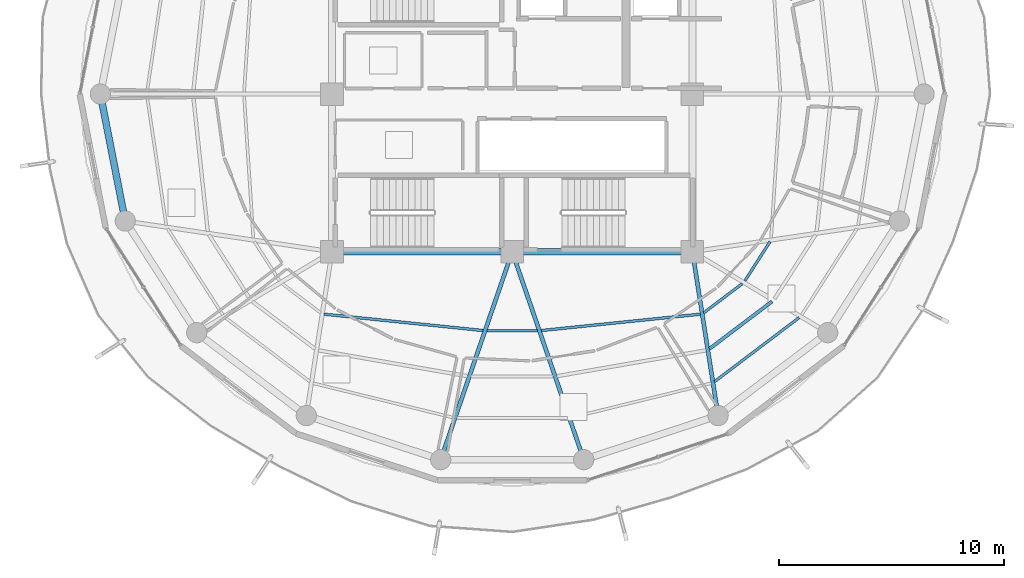
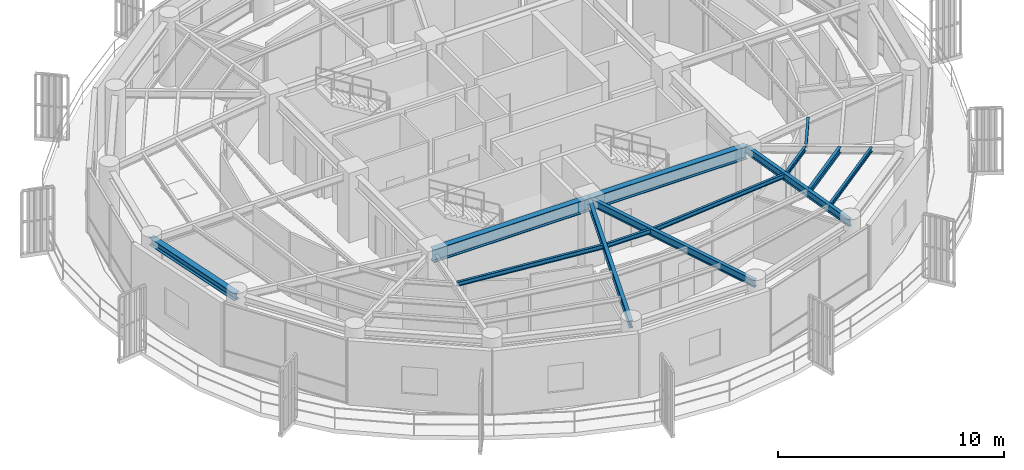
# One storey, part 4 of 22: 13 beams.
"""IFC4 building model written with IfcOpenShell, lengths in metres."""

from ifc_helpers import new_model, si_unit, direction, frame, origin, origin_2d, place, context, subcontext, project, spatial, i_section, extrude, material, material_profile, profile_set, type_object, element, save


model = new_model("IFC4")

# Units and contexts
model_context = context("Model", 3, precision=1e-05, world=origin(), true_north=direction((0.0, 1.0)))
body_context = subcontext(model_context, "Body", "Model", "MODEL_VIEW")
ifc_project = project(units=[si_unit("LENGTHUNIT", "METRE"), si_unit("AREAUNIT", "SQUARE_METRE"), si_unit("VOLUMEUNIT", "CUBIC_METRE"), si_unit("PLANEANGLEUNIT", "RADIAN"), si_unit("MASSUNIT", "GRAM", prefix="KILO")], contexts=[model_context])

# Site, building, storey
site_placement = place(None, origin())
site = spatial("IfcSite", under=ifc_project, at=site_placement, CompositionType="ELEMENT")
building_placement = place(site_placement, origin())
building = spatial("IfcBuilding", under=site, at=building_placement, Name="Kelanora Arch Commons", CompositionType="ELEMENT")
storey_placement = place(building_placement, frame((0.0, 0.0, 263.699951171875)))
storey = spatial("IfcBuildingStorey", under=building, at=storey_placement, Name="L67", CompositionType="ELEMENT", Elevation=263.699951171875)

# Beams
ifc_material = material(Name="Steel S355", Category="steel")
ifc_material_profile_1 = material_profile(ifc_material, i_section(OverallWidth=0.300048828125, OverallDepth=0.699951171875, WebThickness=0.01708984375, FlangeThickness=0.031982421875, FilletRadius=0.027099609375, at=origin_2d()), Name="HEB700")
ifc_profile_set_1 = profile_set([ifc_material_profile_1], Name="Steel S355")
beam_type_1 = type_object("IfcBeamType", Name="BM-CORE-HDR", PredefinedType="BEAM", material=ifc_profile_set_1)
for number, where, z_axis, x_axis, name in (
    (1, (66.0, 51.0, 3.14013671875), (1.0, 0.0, 0.0), (0.0, 1.0, 0.0), "Core Header Beam 01 L67"),
    (2, (74.0, 51.0, 3.14013671875), (1.0, 0.0, 0.0), (0.0, 1.0, 0.0), "Core Header Beam 02 L67"),
):
    element("IfcBeam", number, at=place(storey_placement, frame(where, z_axis=z_axis, x_axis=x_axis)), inside=storey, type_object=beam_type_1, Name=name, PredefinedType="BEAM", context=body_context, shape_type="SweptSolid", body=[
        extrude(i_section(OverallWidth=0.300048828125, OverallDepth=0.699951171875, WebThickness=0.01708984375, FlangeThickness=0.031982421875, FilletRadius=0.027099609375, at=origin_2d()), origin(), (0.0, 0.0, 1.0), 8.0),
    ])
ifc_material_profile_2 = material_profile(ifc_material, i_section(OverallWidth=0.14990234375, OverallDepth=0.300048828125, WebThickness=0.007080078125, FlangeThickness=0.0107421875, FilletRadius=0.014892578125, at=origin_2d()), Name="IPE300")
ifc_profile_set_2 = profile_set([ifc_material_profile_2], Name="Steel S355")
beam_type_2 = type_object("IfcBeamType", Name="BM-JST-01", PredefinedType="JOIST", material=ifc_profile_set_2)
beam_1_placement = place(storey_placement, frame((82.751708984375, 46.68798828125, 3.340087890625), z_axis=(0.797499198801, 0.603320004568, 0.0), x_axis=(-0.603320004568, 0.797499198801, 0.0)))
element("IfcBeam", 3, at=beam_1_placement, inside=storey, type_object=beam_type_2, Name="Secondary Chord Joist BJB-30 L67", PredefinedType="JOIST", context=body_context, shape_type="SweptSolid", body=[
    extrude(i_section(OverallWidth=0.14990234375, OverallDepth=0.300048828125, WebThickness=0.007080078125, FlangeThickness=0.0107421875, FilletRadius=0.014892578125, at=origin_2d()), origin(), (0.0, 0.0, 1.0), 3.489013671875),
])
ifc_material_profile_3 = material_profile(ifc_material, i_section(OverallWidth=0.1201171875, OverallDepth=0.239990234375, WebThickness=0.006103515625, FlangeThickness=0.009765625, FilletRadius=0.014892578125, at=origin_2d()), Name="IPE240")
ifc_profile_set_3 = profile_set([ifc_material_profile_3], Name="Steel S355")
beam_type_3 = type_object("IfcBeamType", Name="BM-JST-02", PredefinedType="JOIST", material=ifc_profile_set_3)
beam_2_placement = place(storey_placement, frame((65.6513671875, 48.227783203125, 3.3701171875), z_axis=(0.994746545688, -0.102368500239, 0.0), x_axis=(0.102368500239, 0.994746545688, 0.0)))
element("IfcBeam", 4, at=beam_2_placement, inside=storey, type_object=beam_type_3, Name="Secondary Chord Joist BJA-24 L67", PredefinedType="JOIST", context=body_context, shape_type="SweptSolid", body=[
    extrude(i_section(OverallWidth=0.1201171875, OverallDepth=0.239990234375, WebThickness=0.006103515625, FlangeThickness=0.009765625, FilletRadius=0.014892578125, at=origin_2d()), origin(), (0.0, 0.0, 1.0), 7.09521484375),
])
beam_3_placement = place(storey_placement, frame((72.87890625, 47.492919921875, 3.3701171875), z_axis=(1.0, 0.0, 0.0), x_axis=(0.0, 1.0, 0.0)))
element("IfcBeam", 5, at=beam_3_placement, inside=storey, type_object=beam_type_3, Name="Secondary Chord Joist BJA-26 L67", PredefinedType="JOIST", context=body_context, shape_type="SweptSolid", body=[
    extrude(i_section(OverallWidth=0.1201171875, OverallDepth=0.239990234375, WebThickness=0.006103515625, FlangeThickness=0.009765625, FilletRadius=0.014892578125, at=origin_2d()), origin(), (0.0, 0.0, 1.0), 2.2421875),
])
beam_4_placement = place(storey_placement, frame((75.290771484375, 47.50146484375, 3.3701171875), z_axis=(0.994746545688, 0.102368500239, 0.0), x_axis=(-0.102368500239, 0.994746545688, 0.0)))
element("IfcBeam", 6, at=beam_4_placement, inside=storey, type_object=beam_type_3, Name="Secondary Chord Joist BJA-28 L67", PredefinedType="JOIST", context=body_context, shape_type="SweptSolid", body=[
    extrude(i_section(OverallWidth=0.1201171875, OverallDepth=0.239990234375, WebThickness=0.006103515625, FlangeThickness=0.009765625, FilletRadius=0.014892578125, at=origin_2d()), origin(), (0.0, 0.0, 1.0), 7.09521484375),
])
beam_5_placement = place(storey_placement, frame((82.5009765625, 48.287841796875, 3.3701171875), z_axis=(0.797509883882, 0.603305880222, 0.0), x_axis=(-0.603305880222, 0.797509883882, 0.0)))
element("IfcBeam", 7, at=beam_5_placement, inside=storey, type_object=beam_type_3, Name="Secondary Chord Joist BJA-30 L67", PredefinedType="JOIST", context=body_context, shape_type="SweptSolid", body=[
    extrude(i_section(OverallWidth=0.1201171875, OverallDepth=0.239990234375, WebThickness=0.006103515625, FlangeThickness=0.009765625, FilletRadius=0.014892578125, at=origin_2d()), origin(), (0.0, 0.0, 1.0), 2.147216796875),
])
beam_6_placement = place(storey_placement, frame((82.979736328125, 45.233642578125, 3.3701171875), z_axis=(0.79752302984, 0.60328850219, 0.0), x_axis=(-0.60328850219, 0.79752302984, 0.0)))
element("IfcBeam", 8, at=beam_6_placement, inside=storey, type_object=beam_type_3, Name="Secondary Chord Joist BJC-30 L67", PredefinedType="JOIST", context=body_context, shape_type="SweptSolid", body=[
    extrude(i_section(OverallWidth=0.1201171875, OverallDepth=0.239990234375, WebThickness=0.006103515625, FlangeThickness=0.009765625, FilletRadius=0.014892578125, at=origin_2d()), origin(), (0.0, 0.0, 1.0), 4.70849609375),
])
beam_7_placement = place(storey_placement, frame((84.3271484375, 49.706298828125, 3.3701171875), z_axis=(0.539311810315, 0.842106152011, 0.0), x_axis=(-0.842106152011, 0.539311810315, 0.0)))
element("IfcBeam", 9, at=beam_7_placement, inside=storey, type_object=beam_type_3, Name="Secondary Chord Joist BJA-32 L67", PredefinedType="JOIST", context=body_context, shape_type="SweptSolid", body=[
    extrude(i_section(OverallWidth=0.1201171875, OverallDepth=0.239990234375, WebThickness=0.006103515625, FlangeThickness=0.009765625, FilletRadius=0.014892578125, at=origin_2d()), origin(), (0.0, 0.0, 1.0), 2.06640625),
])
ifc_material_profile_4 = material_profile(ifc_material, i_section(OverallWidth=0.179931640625, OverallDepth=0.39990234375, WebThickness=0.008544921875, FlangeThickness=0.013427734375, FilletRadius=0.02099609375, at=origin_2d()), Name="IPE400")
ifc_profile_set_4 = profile_set([ifc_material_profile_4], Name="Steel S355")
beam_type_4 = type_object("IfcBeamType", Name="BM-RAD-Z5", PredefinedType="BEAM", material=ifc_profile_set_4)
for number, where, z_axis, x_axis, name in (
    (10, (74.0, 51.0, 3.2900390625), (-0.325233562807, -0.945633718532, 0.0), (0.945633718532, -0.325233562807, 0.0), "Radial Floor Girder BR-26 L67"),
    (11, (74.0, 51.0, 3.2900390625), (0.325233562807, -0.945633718532, 0.0), (0.945633718532, 0.325233562807, 0.0), "Radial Floor Girder BR-28 L67"),
):
    element("IfcBeam", number, at=place(storey_placement, frame(where, z_axis=z_axis, x_axis=x_axis)), inside=storey, type_object=beam_type_4, Name=name, PredefinedType="BEAM", context=body_context, shape_type="SweptSolid", body=[
        extrude(i_section(OverallWidth=0.179931640625, OverallDepth=0.39990234375, WebThickness=0.008544921875, FlangeThickness=0.013427734375, FilletRadius=0.02099609375, at=origin_2d()), origin(), (0.0, 0.0, 1.0), 9.760009765625),
    ])
beam_8_placement = place(storey_placement, frame((82.0, 51.0, 3.2900390625), z_axis=(0.154855424129, -0.987937142544, 0.0), x_axis=(0.987937142544, 0.154855424129, 0.0)))
element("IfcBeam", 12, at=beam_8_placement, inside=storey, type_object=beam_type_4, Name="Radial Floor Girder BR-30 L67", PredefinedType="BEAM", context=body_context, shape_type="SweptSolid", body=[
    extrude(i_section(OverallWidth=0.179931640625, OverallDepth=0.39990234375, WebThickness=0.008544921875, FlangeThickness=0.013427734375, FilletRadius=0.02099609375, at=origin_2d()), origin(), (0.0, 0.0, 1.0), 7.361083984375),
])
ifc_material_profile_5 = material_profile(ifc_material, i_section(OverallWidth=0.300048828125, OverallDepth=0.39990234375, WebThickness=0.013427734375, FlangeThickness=0.02392578125, FilletRadius=0.027099609375, at=origin_2d()), Name="HEB400")
ifc_profile_set_5 = profile_set([ifc_material_profile_5], Name="Steel S355")
beam_type_5 = type_object("IfcBeamType", Name="BM-SPN-Z4", PredefinedType="SPANDREL", material=ifc_profile_set_5)
beam_9_placement = place(storey_placement, frame((55.719970703125, 58.0, 3.2900390625), z_axis=(0.191969774604, -0.981400838413, 0.0), x_axis=(0.981400838413, 0.191969774604, 0.0)))
element("IfcBeam", 13, at=beam_9_placement, inside=storey, type_object=beam_type_5, Name="Perimeter Spandrel Beam BS-18 L67", PredefinedType="SPANDREL", context=body_context, shape_type="SweptSolid", body=[
    extrude(i_section(OverallWidth=0.300048828125, OverallDepth=0.39990234375, WebThickness=0.013427734375, FlangeThickness=0.02392578125, FilletRadius=0.027099609375, at=origin_2d()), origin(), (0.0, 0.0, 1.0), 5.743408203125),
])

save(model, "model.ifc")
